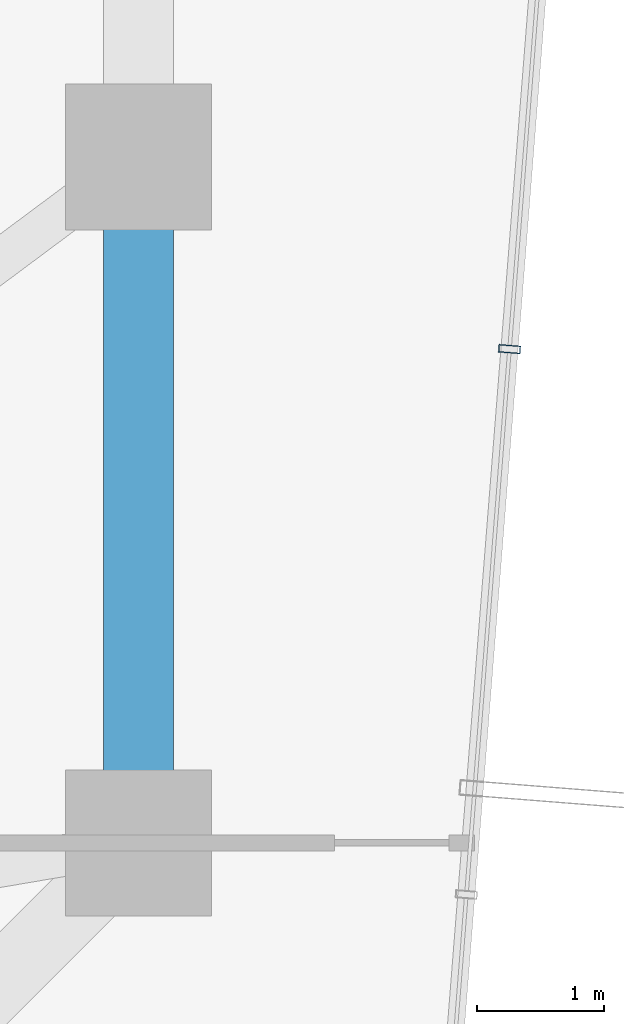
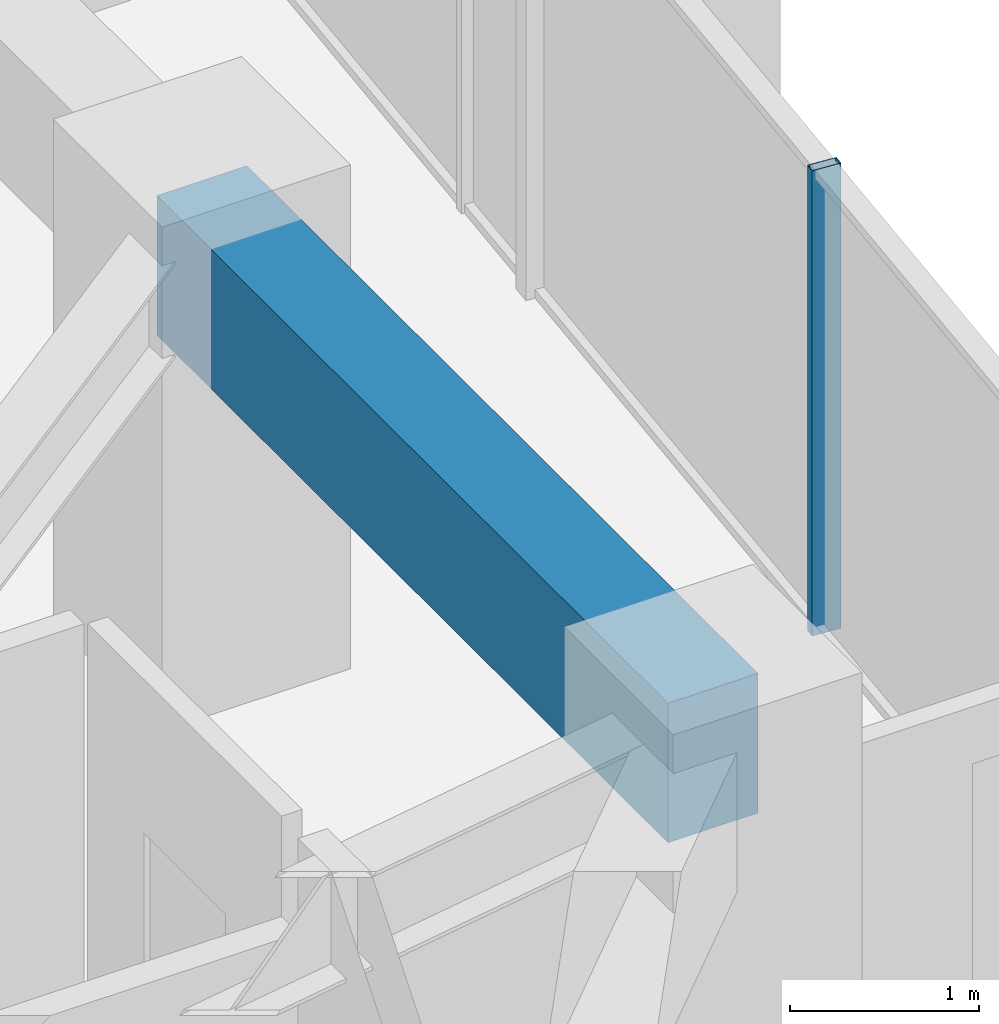
# One storey, part 13 of 30: 1 beam, 1 member, 1 element without a shape of its own.
"""IFC4 building model written with IfcOpenShell, lengths in metres."""

from ifc_helpers import new_model, si_unit, direction, frame, origin, origin_2d, place, context, subcontext, project, spatial, rectangle, hollow_rectangle, extrude, source, transform, mapped, material, layer, layer_set, material_profile, profile_set, type_object, element, aggregate, save


model = new_model("IFC4")

# Units and contexts
model_context = context("Model", 3, precision=1e-05, world=origin(), true_north=direction((0.0, 1.0)))
body_context = subcontext(model_context, "Body", "Model", "MODEL_VIEW")
ifc_project = project(units=[si_unit("LENGTHUNIT", "METRE"), si_unit("AREAUNIT", "SQUARE_METRE"), si_unit("VOLUMEUNIT", "CUBIC_METRE"), si_unit("PLANEANGLEUNIT", "RADIAN"), si_unit("MASSUNIT", "GRAM", prefix="KILO")], contexts=[model_context])

# Site, building, storey
site_placement = place(None, origin())
site = spatial("IfcSite", under=ifc_project, at=site_placement, CompositionType="ELEMENT")
building_placement = place(site_placement, origin())
building = spatial("IfcBuilding", under=site, at=building_placement, Name="Veraguas Prism Commons", CompositionType="ELEMENT")
storey_placement = place(building_placement, frame((0.0, 0.0, 113.25)))
storey = spatial("IfcBuildingStorey", under=building, at=storey_placement, Name="L31", CompositionType="ELEMENT", Elevation=113.25)

# Beam
ifc_material_1 = material(Name="Concrete C50/60", Category="concrete")
ifc_material_profile_1 = material_profile(ifc_material_1, rectangle(XDim=0.550048828125, YDim=0.89990234375, at=origin_2d()), Name="RC550X900")
ifc_profile_set_1 = profile_set([ifc_material_profile_1], Name="Concrete C50/60")
beam_type = type_object("IfcBeamType", Name="Perimeter Spandrel Lower RC 550x900", PredefinedType="SPANDREL", material=ifc_profile_set_1)
beam_placement = place(storey_placement, frame((40.199951171875, 18.60009765625, 2.550048828125), z_axis=(0.0, 1.0, 0.0), x_axis=(-1.0, 0.0, 0.0)))
element("IfcBeam", 1, at=beam_placement, inside=storey, type_object=beam_type, Name="Perimeter Spandrel Beam L31-SP01", PredefinedType="SPANDREL", context=body_context, shape_type="SweptSolid", body=[
    extrude(rectangle(XDim=0.550048828125, YDim=0.89990234375, at=origin_2d()), origin(), (0.0, 0.0, 1.0), 5.39990234375),
])

# Curtain wall, member
ifc_material_2 = material(Name="Anodised aluminium EN AW-6063 T6", Category="aluminium")
ifc_layer = layer(ifc_material_2, 0.169921875, Name="Unitised Flush Curtain Wall Zone 2", Category="aluminium")
ifc_layer_set = layer_set([ifc_layer], Name="Anodised aluminium EN AW-6063 T6")
curtain_wall_type = type_object("IfcCurtainWallType", Name="Unitised Flush Curtain Wall Zone 2", PredefinedType="NOTDEFINED", material=ifc_layer_set)
curtain_wall_placement = place(storey_placement, origin())
curtain_wall = element("IfcCurtainWall", 2, at=curtain_wall_placement, inside=storey, type_object=curtain_wall_type, Name="Tower Facade Curtain Wall L31-F6", PredefinedType="NOTDEFINED")
ifc_material_profile_2 = material_profile(ifc_material_2, hollow_rectangle(XDim=0.06005859375, YDim=0.169921875, WallThickness=0.00390625, at=origin_2d()), Name="AL60X170X4")
ifc_profile_set_2 = profile_set([ifc_material_profile_2], Name="Anodised aluminium EN AW-6063 T6")
member_type = type_object("IfcMemberType", Name="Curtain Wall Mullion Lower AL 60x170x4", PredefinedType="MULLION", material=ifc_profile_set_2)
shared_shape = source(origin(), body_context, "Body", "SweptSolid", [
    extrude(hollow_rectangle(XDim=0.06005859375, YDim=0.169921875, WallThickness=0.00390625, at=origin_2d()), origin(), (0.0, 0.0, 1.0), 3.0),
])
member_placement = place(storey_placement, frame((43.122802734375, 22.48828125, 0.0), z_axis=(0.0, 0.0, 1.0), x_axis=(0.078807080738, 0.996889885607, 0.0)))
member = element("IfcMember", 3, at=member_placement, type_object=member_type, Name="CW-Z2 Mullion 3", PredefinedType="MULLION", context=body_context, shape_type="MappedRepresentation", body=[
    mapped(shared_shape, transform((0.0, 0.0, 0.0), scale=1.0)),
])
aggregate(curtain_wall, [member])

save(model, "model.ifc")
